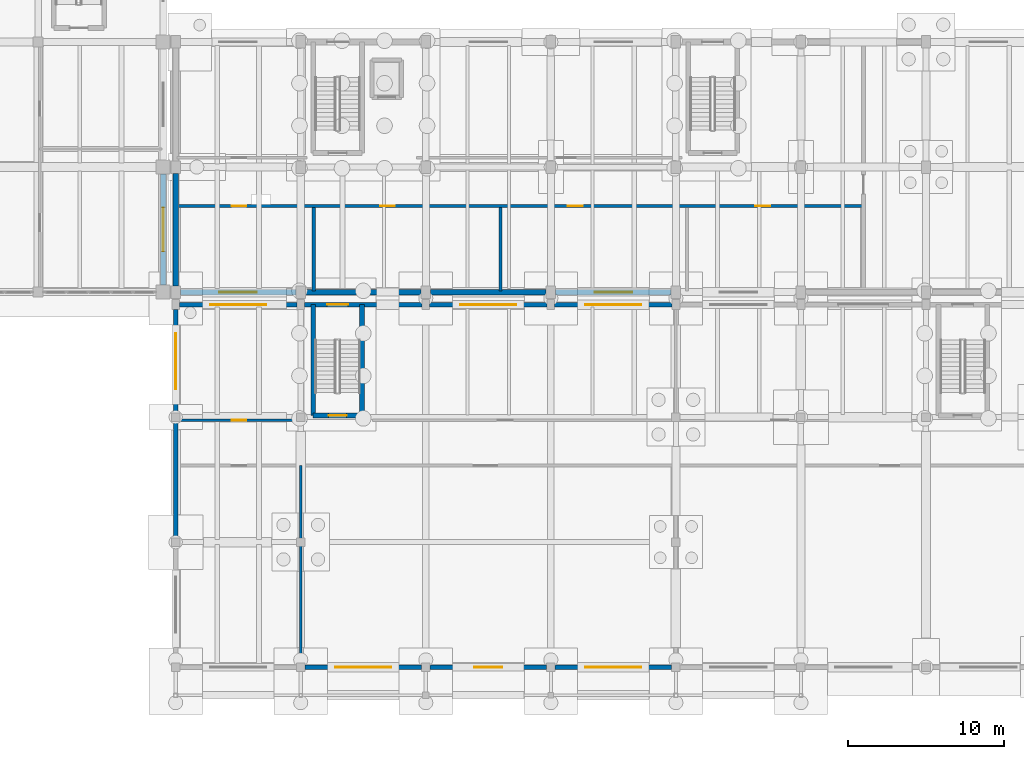
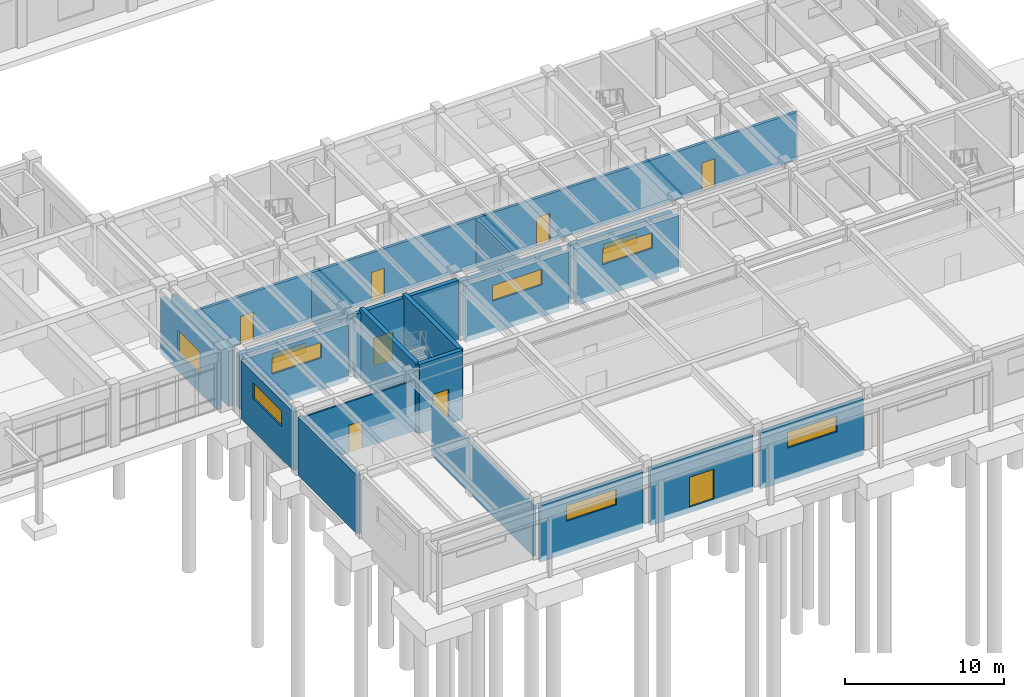
# One storey, part 36 of 64: 23 walls, 9 windows, 8 doors, 17 openings.
"""IFC4 building model written with IfcOpenShell, lengths in metres."""

import ifcopenshell
import ifcopenshell.guid

model = None  # the IFC model being written
_history = None  # IfcOwnerHistory: only IFC2X3 demands one
_inside = {}  # id of a spatial element -> (the spatial element, [elements in it])
_under = {}  # id of a project, library or spatial element -> (it, [spatial elements below it])
_declared = {}  # id of a project -> (the project, [libraries it declares])
_typed = {}  # id of a type object -> (the type object, [elements of that type])
_made_of = {}  # id of a material, layer set ... -> (it, [elements and type objects made of it])


def new_model(schema):
    """Start an empty IFC model of exactly this schema.

    Asked for "IFC4X3", IfcOpenShell would pick the latest addendum, in which some entities
    have other attributes; the version numbers below select the first issue.
    IFC2X3 requires an IfcOwnerHistory on every rooted entity: one is made here for all.
    """
    global model, _history
    if schema == "IFC4X3":
        model = ifcopenshell.file(schema_version=(4, 3, 0, 0))
    else:
        model = ifcopenshell.file(schema=schema)
    _inside.clear()
    _under.clear()
    _declared.clear()
    _typed.clear()
    _made_of.clear()
    _history = None
    if model.schema == "IFC2X3":
        org = make("IfcOrganization", Name="unknown")
        user = make(
            "IfcPersonAndOrganization",
            ThePerson=make("IfcPerson", FamilyName="unknown"),
            TheOrganization=org,
        )
        app = make(
            "IfcApplication",
            ApplicationDeveloper=org,
            Version="unknown",
            ApplicationFullName="unknown",
            ApplicationIdentifier="unknown",
        )
        _history = make(
            "IfcOwnerHistory",
            OwningUser=user,
            OwningApplication=app,
            ChangeAction="ADDED",
            CreationDate=0,
        )
    return model


def make(cls, **values):
    """One entity of the class cls with the attributes given. An attribute that is None is left unset."""
    return model.create_entity(
        cls, **{name: value for name, value in values.items() if value is not None}
    )


def rooted(cls, **values):
    """An entity with a GlobalId (a new one), such as an element, a storey or a relation."""
    return make(cls, GlobalId=ifcopenshell.guid.new(), OwnerHistory=_history, **values)


def si_unit(unit_type, name, prefix=None):
    """IfcSIUnit, for example si_unit("LENGTHUNIT", "METRE", prefix="MILLI")."""
    return make("IfcSIUnit", UnitType=unit_type, Prefix=prefix, Name=name)


def assignment(units):
    """IfcUnitAssignment: the units of a project."""
    return None if units is None else make("IfcUnitAssignment", Units=units)


def point(xyz):
    """IfcCartesianPoint."""
    return None if xyz is None else make("IfcCartesianPoint", Coordinates=xyz)


def direction(xyz):
    """IfcDirection."""
    return None if xyz is None else make("IfcDirection", DirectionRatios=xyz)


def frame(location, z_axis=None, x_axis=None):
    """IfcAxis2Placement3D, a coordinate frame: its origin and axes. An axis left out is left unset."""
    return make(
        "IfcAxis2Placement3D",
        Location=point(location),
        Axis=direction(z_axis),
        RefDirection=direction(x_axis),
    )


def frame_2d(location, x_axis=None):
    """IfcAxis2Placement2D, a coordinate frame in the plane: its origin and x axis."""
    return make(
        "IfcAxis2Placement2D", Location=point(location), RefDirection=direction(x_axis)
    )


def origin():
    """The frame at (0, 0, 0) with its axes left unset."""
    return frame((0.0, 0.0, 0.0))


def place(relative_to, where):
    """IfcLocalPlacement: puts the frame where relative to a parent placement (None: the world)."""
    return make(
        "IfcLocalPlacement", PlacementRelTo=relative_to, RelativePlacement=where
    )


def context(
    kind, dimensions, precision=None, world=None, true_north=None, identifier=None
):
    """IfcGeometricRepresentationContext, for example the 3D "Model" context."""
    return make(
        "IfcGeometricRepresentationContext",
        ContextIdentifier=identifier,
        ContextType=kind,
        CoordinateSpaceDimension=dimensions,
        Precision=precision,
        WorldCoordinateSystem=world,
        TrueNorth=true_north,
    )


def subcontext(parent, identifier, kind, view, scale=None):
    """IfcGeometricRepresentationSubContext, for example "Body" below "Model"."""
    return make(
        "IfcGeometricRepresentationSubContext",
        ContextIdentifier=identifier,
        ContextType=kind,
        ParentContext=parent,
        TargetScale=scale,
        TargetView=view,
    )


def project(units=None, contexts=None):
    """IfcProject with its units and contexts."""
    return rooted(
        "IfcProject",
        Name="project",
        RepresentationContexts=contexts,
        UnitsInContext=assignment(units),
    )


def spatial(cls, under=None, at=None, **own):
    """A site, building, storey or space (cls), placed at a placement, below another one or the project."""
    s = rooted(cls, ObjectPlacement=at, **own)
    if under is not None:
        _under.setdefault(under.id(), (under, []))[1].append(s)
    return s


def profile(cls, at=None, kind="AREA", **sizes):
    """A parametric profile (cls). Its sizes go by their IFC names, for example OverallWidth=200.0."""
    return make(cls, ProfileType=kind, Position=at, **sizes)


def rectangle(**sizes):
    """IfcRectangleProfileDef."""
    return profile("IfcRectangleProfileDef", **sizes)


def extrude(swept, where, along, depth):
    """IfcExtrudedAreaSolid: the profile swept, set in the frame where, extruded along a direction by depth."""
    return make(
        "IfcExtrudedAreaSolid",
        SweptArea=swept,
        Position=where,
        ExtrudedDirection=direction(along),
        Depth=depth,
    )


def shape(context_of_items, identifier, shape_type, items):
    """IfcShapeRepresentation: the items that make up one representation, for example the "Body"."""
    return make(
        "IfcShapeRepresentation",
        ContextOfItems=context_of_items,
        RepresentationIdentifier=identifier,
        RepresentationType=shape_type,
        Items=items,
    )


def material(Name=None, Category=None):
    """IfcMaterial."""
    return make("IfcMaterial", Name=Name, Category=Category)


def layer(
    of_material, thickness, ventilated=None, Name=None, Category=None, Priority=None
):
    """IfcMaterialLayer: one layer of a wall or slab, of a material (None: an air gap)."""
    return make(
        "IfcMaterialLayer",
        Material=of_material,
        LayerThickness=thickness,
        IsVentilated=ventilated,
        Name=Name,
        Category=Category,
        Priority=Priority,
    )


def layer_set(layers, Name=None):
    """IfcMaterialLayerSet."""
    return make("IfcMaterialLayerSet", MaterialLayers=layers, LayerSetName=Name)


def made_of(thing, what):
    """Note that an element or type object is made of a material, layer set ...; save() writes the relation."""
    if what is not None:
        _made_of.setdefault(what.id(), (what, []))[1].append(thing)
    return thing


def type_object(cls, material=None, **own):
    """A type object (cls), such as IfcWallType, which elements share."""
    return made_of(rooted(cls, **own), material)


def element(
    cls,
    number,
    at=None,
    inside=None,
    cuts=None,
    type_object=None,
    material=None,
    context=None,
    identifier="Body",
    shape_type=None,
    held_by="IfcProductDefinitionShape",
    body=None,
    shapes=None,
    **own,
):
    """One element of the class cls, such as IfcWall. Its Tag is "e" and its number.

    at: its placement. inside: the storey or other place that contains it. cuts: it is an
    opening in that element (IfcRelVoidsElement). A single representation is given by context,
    identifier, shape_type and body (its items); several are given by shapes. held_by: the class
    of the entity that holds the representations. save() writes the other relations.
    """
    e = rooted(cls, Tag="e%d" % number, ObjectPlacement=at, **own)
    if body is not None:
        shapes = [shape(context, identifier, shape_type, body)]
    if shapes is not None:
        e.Representation = make(held_by, Representations=shapes)
    if inside is not None:
        _inside.setdefault(inside.id(), (inside, []))[1].append(e)
    if cuts is not None:
        rooted(
            "IfcRelVoidsElement", RelatingBuildingElement=cuts, RelatedOpeningElement=e
        )
    if type_object is not None:
        _typed.setdefault(type_object.id(), (type_object, []))[1].append(e)
    return made_of(e, material)


def fill(opening, filler):
    """IfcRelFillsElement: the door or window that sits in an opening."""
    return rooted(
        "IfcRelFillsElement",
        RelatingOpeningElement=opening,
        RelatedBuildingElement=filler,
    )


def aggregate(whole, parts):
    """IfcRelAggregates: a whole, such as a stair, and the parts it consists of."""
    return rooted("IfcRelAggregates", RelatingObject=whole, RelatedObjects=parts)


def save(model, path):
    """Write the relations noted so far, then the file.

    IfcRelAggregates (storeys below a building ...), IfcRelContainedInSpatialStructure (elements
    in a storey), IfcRelDefinesByType, IfcRelAssociatesMaterial and IfcRelDeclares: one each for
    every whole, place, type object, material and project.
    """
    for whole, parts in _under.values():
        aggregate(whole, parts)
    for where, things in _inside.values():
        rooted(
            "IfcRelContainedInSpatialStructure",
            RelatedElements=things,
            RelatingStructure=where,
        )
    for kind, things in _typed.values():
        rooted("IfcRelDefinesByType", RelatedObjects=things, RelatingType=kind)
    for what, things in _made_of.values():
        rooted("IfcRelAssociatesMaterial", RelatedObjects=things, RelatingMaterial=what)
    for by, libraries in _declared.values():
        rooted("IfcRelDeclares", RelatingContext=by, RelatedDefinitions=libraries)
    model.write(path)


model = new_model("IFC4")

# Units and contexts
model_context = context("Model", 3, precision=1e-05, world=origin(), true_north=direction((0.0, 1.0)))
body_context = subcontext(model_context, "Body", "Model", "MODEL_VIEW")
ifc_project = project(units=[si_unit("LENGTHUNIT", "METRE"), si_unit("AREAUNIT", "SQUARE_METRE"), si_unit("VOLUMEUNIT", "CUBIC_METRE"), si_unit("PLANEANGLEUNIT", "RADIAN"), si_unit("MASSUNIT", "GRAM", prefix="KILO")], contexts=[model_context])

# Site, building, storey
site_placement = place(None, origin())
site = spatial("IfcSite", under=ifc_project, at=site_placement, CompositionType="ELEMENT")
building_placement = place(site_placement, origin())
building = spatial("IfcBuilding", under=site, at=building_placement, Name="Tlaxcora Railside Police Headquarters", CompositionType="ELEMENT")
storey_placement = place(building_placement, origin())
storey = spatial("IfcBuildingStorey", under=building, at=storey_placement, Name="L00", CompositionType="ELEMENT", Elevation=0.0)

# Wall
ifc_material_1 = material(Name="Gypsum acoustic partition board")
ifc_layer_1 = layer(ifc_material_1, 0.175048828125, Name="Gypsum acoustic partition board")
ifc_layer_set_1 = layer_set([ifc_layer_1], Name="Gypsum acoustic partition board")
wall_type_1 = type_object("IfcWallType", Name="Interior Partition Wall IW-22", PredefinedType="PARTITIONING", material=ifc_layer_set_1)
wall_1_placement = place(storey_placement, frame((110.800048828125, 12.080078125, 0.0), z_axis=(0.0, 0.0, 1.0), x_axis=(0.0, 1.0, 0.0)))
element("IfcWall", 1, at=wall_1_placement, inside=storey, type_object=wall_type_1, Name="V3 L00 interior partition 38", PredefinedType="PARTITIONING", context=body_context, shape_type="SweptSolid", body=[
    extrude(rectangle(XDim=12.81982421875, YDim=0.175048828125, at=frame_2d((6.409912109375, 0.0))), origin(), (0.0, 0.0, 1.0), 3.89794921875),
])

# Wall, opening, door
ifc_layer_2 = layer(ifc_material_1, 0.1298828125, Name="Gypsum acoustic partition board")
ifc_layer_set_2 = layer_set([ifc_layer_2], Name="Gypsum acoustic partition board")
wall_type_2 = type_object("IfcWallType", Name="Interior Partition Wall IW-40", PredefinedType="PARTITIONING", material=ifc_layer_set_2)
wall_2_placement = place(storey_placement, frame((102.8798828125, 27.800048828125, 0.0), z_axis=(0.0, 0.0, 1.0), x_axis=(1.0, 0.0, 0.0)))
wall_2 = element("IfcWall", 2, at=wall_2_placement, inside=storey, type_object=wall_type_2, Name="V3 L00 interior partition 41", PredefinedType="PARTITIONING", context=body_context, shape_type="SweptSolid", body=[
    extrude(rectangle(XDim=8.320068359375, YDim=0.1298828125, at=frame_2d((4.16015625, 0.0))), origin(), (0.0, 0.0, 1.0), 3.8798828125),
])
opening_1_placement = place(wall_2_placement, frame((3.5, 0.0, 0.0)))
opening_1 = element("IfcOpeningElement", 3, at=opening_1_placement, cuts=wall_2, Name="Opening D-L00-092", PredefinedType="OPENING", context=body_context, shape_type="SweptSolid", body=[
    extrude(rectangle(XDim=0.949951171875, YDim=2.10009765625, at=frame_2d((0.47509765625, 1.050048828125))), frame((0.0, 0.074951171875, 0.0), z_axis=(0.0, -1.0, 0.0), x_axis=(1.0, 0.0, 0.0)), (0.0, 0.0, 1.0), 0.14990234375),
])
ifc_material_2 = material(Name="Steel ASTM A992 Grade 50", Category="steel")
door_type_1 = type_object("IfcDoorType", Name="Swing or Sliding Personnel Door ID-87", OperationType="NOTDEFINED", PredefinedType="DOOR", material=ifc_material_2)
door_1_placement = place(opening_1_placement, origin())
door_1 = element("IfcDoor", 4, at=door_1_placement, inside=storey, type_object=door_type_1, Name="V3 L00 door D-L00-092", OperationType="SINGLE_SWING_RIGHT", OverallHeight=2.10009765625, OverallWidth=0.949951171875, PredefinedType="DOOR", context=body_context, shape_type="SweptSolid", body=[
    extrude(rectangle(XDim=0.949951171875, YDim=2.10009765625, at=frame_2d((0.47509765625, 1.050048828125))), frame((0.0, 0.02490234375, 0.0), z_axis=(0.0, -1.0, 0.0), x_axis=(1.0, 0.0, 0.0)), (0.0, 0.0, 1.0), 0.050048828125),
])
fill(opening_1, door_1)

# Walls
ifc_material_3 = material(Name="Pressed clay brick masonry", Category="masonry")
ifc_layer_3 = layer(ifc_material_3, 0.199951171875, Name="Pressed clay brick masonry")
ifc_layer_set_3 = layer_set([ifc_layer_3], Name="Pressed clay brick masonry")
wall_type_3 = type_object("IfcWallType", Name="Interior Partition Wall IW-60", PredefinedType="PARTITIONING", material=ifc_layer_set_3)
for number, where, z_axis, x_axis, name in (
    (5, (111.62890625, 36.080078125, 0.0), (0.0, 0.0, 1.0), (0.0, 1.0, 0.0), "V7 L00 interior partition 44"),
    (6, (123.570068359375, 36.080078125, 0.0), (0.0, 0.0, 1.0), (0.0, 1.0, 0.0), "V7 L00 interior partition 45"),
):
    element("IfcWall", number, at=place(storey_placement, frame(where, z_axis=z_axis, x_axis=x_axis)), inside=storey, type_object=wall_type_3, Name=name, PredefinedType="PARTITIONING", context=body_context, shape_type="SweptSolid", body=[
        extrude(rectangle(XDim=5.31982421875, YDim=0.199951171875, at=frame_2d((2.659912109375, 0.0))), origin(), (0.0, 0.0, 1.0), 3.695068359375),
    ])

# Wall, openings, doors
wall_3_placement = place(storey_placement, frame((102.8798828125, 41.5, 0.0), z_axis=(0.0, 0.0, 1.0), x_axis=(1.0, 0.0, 0.0)))
wall_3 = element("IfcWall", 7, at=wall_3_placement, inside=storey, type_object=wall_type_3, Name="V7 L00 interior partition 48", PredefinedType="PARTITIONING", context=body_context, shape_type="SweptSolid", body=[
    extrude(rectangle(XDim=43.920166015625, YDim=0.199951171875, at=frame_2d((21.9599609375, 0.0))), origin(), (0.0, 0.0, 1.0), 3.695068359375),
])
opening_2_placement = place(wall_3_placement, frame((3.5, 0.0, 0.0)))
opening_2 = element("IfcOpeningElement", 8, at=opening_2_placement, cuts=wall_3, Name="Opening D-L00-096", PredefinedType="OPENING", context=body_context, shape_type="SweptSolid", body=[
    extrude(rectangle(XDim=0.949951171875, YDim=2.14990234375, at=frame_2d((0.47509765625, 1.074951171875))), frame((0.0, 0.10986328125, 0.0), z_axis=(0.0, -1.0, 0.0), x_axis=(1.0, 0.0, 0.0)), (0.0, 0.0, 1.0), 0.219970703125),
])
opening_3_placement = place(wall_3_placement, frame((13.0, 0.0, 0.0)))
opening_3 = element("IfcOpeningElement", 9, at=opening_3_placement, cuts=wall_3, Name="Opening D-L00-097", PredefinedType="OPENING", context=body_context, shape_type="SweptSolid", body=[
    extrude(rectangle(XDim=0.949951171875, YDim=2.199951171875, at=frame_2d((0.47509765625, 1.10009765625))), frame((0.0, 0.10986328125, 0.0), z_axis=(0.0, -1.0, 0.0), x_axis=(1.0, 0.0, 0.0)), (0.0, 0.0, 1.0), 0.219970703125),
])
opening_4_placement = place(wall_3_placement, frame((25.0, 0.0, 0.0)))
opening_4 = element("IfcOpeningElement", 10, at=opening_4_placement, cuts=wall_3, Name="Opening D-L00-098", PredefinedType="OPENING", context=body_context, shape_type="SweptSolid", body=[
    extrude(rectangle(XDim=0.949951171875, YDim=2.199951171875, at=frame_2d((0.47509765625, 1.10009765625))), frame((0.0, 0.10986328125, 0.0), z_axis=(0.0, -1.0, 0.0), x_axis=(1.0, 0.0, 0.0)), (0.0, 0.0, 1.0), 0.219970703125),
])
opening_5_placement = place(wall_3_placement, frame((37.0, 0.0, 0.0)))
opening_5 = element("IfcOpeningElement", 11, at=opening_5_placement, cuts=wall_3, Name="Opening D-L00-099", PredefinedType="OPENING", context=body_context, shape_type="SweptSolid", body=[
    extrude(rectangle(XDim=0.949951171875, YDim=2.199951171875, at=frame_2d((0.47509765625, 1.10009765625))), frame((0.0, 0.10986328125, 0.0), z_axis=(0.0, -1.0, 0.0), x_axis=(1.0, 0.0, 0.0)), (0.0, 0.0, 1.0), 0.219970703125),
])
door_type_2 = type_object("IfcDoorType", Name="Swing or Sliding Personnel Door ID-31", OperationType="NOTDEFINED", PredefinedType="DOOR", material=ifc_material_2)
door_2_placement = place(opening_2_placement, origin())
door_2 = element("IfcDoor", 12, at=door_2_placement, inside=storey, type_object=door_type_2, Name="V7 L00 door D-L00-096", OperationType="SINGLE_SWING_LEFT", OverallHeight=2.14990234375, OverallWidth=0.949951171875, PredefinedType="DOOR", context=body_context, shape_type="SweptSolid", body=[
    extrude(rectangle(XDim=0.949951171875, YDim=2.14990234375, at=frame_2d((0.47509765625, 1.074951171875))), frame((0.0, 0.02490234375, 0.0), z_axis=(0.0, -1.0, 0.0), x_axis=(1.0, 0.0, 0.0)), (0.0, 0.0, 1.0), 0.050048828125),
])
fill(opening_2, door_2)
door_type_3 = type_object("IfcDoorType", Name="Swing or Sliding Personnel Door ID-62", OperationType="NOTDEFINED", PredefinedType="DOOR", material=ifc_material_2)
door_3_placement = place(opening_3_placement, origin())
door_3 = element("IfcDoor", 13, at=door_3_placement, inside=storey, type_object=door_type_3, Name="V7 L00 door D-L00-097", OperationType="SINGLE_SWING_RIGHT", OverallHeight=2.199951171875, OverallWidth=0.949951171875, PredefinedType="DOOR", context=body_context, shape_type="SweptSolid", body=[
    extrude(rectangle(XDim=0.949951171875, YDim=2.199951171875, at=frame_2d((0.47509765625, 1.10009765625))), frame((0.0, 0.02490234375, 0.0), z_axis=(0.0, -1.0, 0.0), x_axis=(1.0, 0.0, 0.0)), (0.0, 0.0, 1.0), 0.050048828125),
])
fill(opening_3, door_3)
door_4_placement = place(opening_4_placement, origin())
door_4 = element("IfcDoor", 14, at=door_4_placement, inside=storey, type_object=door_type_3, Name="V7 L00 door D-L00-098", OperationType="SINGLE_SWING_LEFT", OverallHeight=2.199951171875, OverallWidth=0.949951171875, PredefinedType="DOOR", context=body_context, shape_type="SweptSolid", body=[
    extrude(rectangle(XDim=0.949951171875, YDim=2.199951171875, at=frame_2d((0.47509765625, 1.10009765625))), frame((0.0, 0.02490234375, 0.0), z_axis=(0.0, -1.0, 0.0), x_axis=(1.0, 0.0, 0.0)), (0.0, 0.0, 1.0), 0.050048828125),
])
fill(opening_4, door_4)
door_5_placement = place(opening_5_placement, origin())
door_5 = element("IfcDoor", 15, at=door_5_placement, inside=storey, type_object=door_type_3, Name="V7 L00 door D-L00-099", OperationType="SINGLE_SWING_RIGHT", OverallHeight=2.199951171875, OverallWidth=0.949951171875, PredefinedType="DOOR", context=body_context, shape_type="SweptSolid", body=[
    extrude(rectangle(XDim=0.949951171875, YDim=2.199951171875, at=frame_2d((0.47509765625, 1.10009765625))), frame((0.0, 0.02490234375, 0.0), z_axis=(0.0, -1.0, 0.0), x_axis=(1.0, 0.0, 0.0)), (0.0, 0.0, 1.0), 0.050048828125),
])
fill(opening_5, door_5)

# Wall, opening, door
ifc_material_4 = material(Name="Concrete C40/50", Category="concrete")
ifc_layer_4 = layer(ifc_material_4, 0.300048828125, Name="Concrete C40/50")
ifc_layer_set_4 = layer_set([ifc_layer_4], Name="Concrete C40/50")
wall_type_4 = type_object("IfcWallType", Name="Shear Core Wall IW-28", PredefinedType="SHEAR", material=ifc_layer_set_4)
wall_4_placement = place(storey_placement, frame((111.60009765625, 28.10009765625, -0.52001953125), z_axis=(0.0, 0.0, 1.0), x_axis=(1.0, 0.0, 0.0)))
wall_4 = element("IfcWall", 16, at=wall_4_placement, inside=storey, type_object=wall_type_4, Name="CORE-C8 L00 stair core wall S", PredefinedType="SHEAR", context=body_context, shape_type="SweptSolid", body=[
    extrude(rectangle(XDim=3.119873046875, YDim=0.300048828125, at=frame_2d((1.56005859375, 0.0))), origin(), (0.0, 0.0, 1.0), 5.320068359375),
])
opening_6_placement = place(wall_4_placement, frame((0.985107421875, 0.0, 0.52001953125)))
opening_6 = element("IfcOpeningElement", 17, at=opening_6_placement, cuts=wall_4, Name="Opening SD-L00-055", PredefinedType="OPENING", context=body_context, shape_type="SweptSolid", body=[
    extrude(rectangle(XDim=1.14990234375, YDim=2.14990234375, at=frame_2d((0.574951171875, 1.074951171875))), frame((0.0, 0.16015625, 0.0), z_axis=(0.0, -1.0, 0.0), x_axis=(1.0, 0.0, 0.0)), (0.0, 0.0, 1.0), 0.320068359375),
])
door_type_4 = type_object("IfcDoorType", Name="Swing or Sliding Personnel Door ID-73", OperationType="NOTDEFINED", PredefinedType="DOOR", material=ifc_material_2)
door_6_placement = place(opening_6_placement, origin())
door_6 = element("IfcDoor", 18, at=door_6_placement, inside=storey, type_object=door_type_4, Name="Stair ST7 L00 enclosure fire door", OperationType="SINGLE_SWING_LEFT", OverallHeight=2.14990234375, OverallWidth=1.14990234375, PredefinedType="DOOR", context=body_context, shape_type="SweptSolid", body=[
    extrude(rectangle(XDim=1.14990234375, YDim=2.14990234375, at=frame_2d((0.574951171875, 1.074951171875))), frame((0.0, 0.02490234375, 0.0), z_axis=(0.0, -1.0, 0.0), x_axis=(1.0, 0.0, 0.0)), (0.0, 0.0, 1.0), 0.050048828125),
])
fill(opening_6, door_6)

# Walls
for number, where, z_axis, x_axis, name in (
    (19, (114.719970703125, 28.10009765625, -0.52001953125), (0.0, 0.0, 1.0), (0.0, 1.0, 0.0), "CORE-C8 L00 stair core wall E"),
    (20, (111.60009765625, 35.199951171875, -0.52001953125), (0.0, 0.0, 1.0), (0.0, -1.0, 0.0), "CORE-C8 L00 stair core wall W"),
):
    element("IfcWall", number, at=place(storey_placement, frame(where, z_axis=z_axis, x_axis=x_axis)), inside=storey, type_object=wall_type_4, Name=name, PredefinedType="SHEAR", context=body_context, shape_type="SweptSolid", body=[
        extrude(rectangle(XDim=7.099853515625, YDim=0.300048828125, at=frame_2d((3.5498046875, 0.0))), origin(), (0.0, 0.0, 1.0), 5.320068359375),
    ])

# Wall, opening, window
ifc_material_5 = material(Name="Volcanic basalt ashlar masonry", Category="masonry")
ifc_layer_5 = layer(ifc_material_5, 0.3349609375, Name="Volcanic basalt ashlar masonry")
ifc_layer_set_5 = layer_set([ifc_layer_5], Name="Volcanic basalt ashlar masonry")
wall_type_5 = type_object("IfcWallType", Name="Structural Bearing Wall EW-46", PredefinedType="SOLIDWALL", material=ifc_layer_set_5)
wall_5_placement = place(storey_placement, frame((102.0, 36.449951171875, -0.419921875), z_axis=(0.0, 0.0, 1.0), x_axis=(0.0, 1.0, 0.0)))
wall_5 = element("IfcWall", 21, at=wall_5_placement, inside=storey, type_object=wall_type_5, Name="V1 L00 exterior wall 1.0", PredefinedType="SOLIDWALL", context=body_context, shape_type="SweptSolid", body=[
    extrude(rectangle(XDim=7.10009765625, YDim=0.3349609375, at=frame_2d((3.550048828125, 0.0))), origin(), (0.0, 0.0, 1.0), 4.2998046875),
])
opening_7_placement = place(wall_5_placement, frame((2.14990234375, 0.0, 1.320068359375)))
opening_7 = element("IfcOpeningElement", 22, at=opening_7_placement, cuts=wall_5, Name="Opening WN-44", PredefinedType="OPENING", context=body_context, shape_type="SweptSolid", body=[
    extrude(rectangle(XDim=2.800048828125, YDim=1.800048828125, at=frame_2d((1.39990234375, 0.89990234375))), frame((0.0, 0.177490234375, 0.0), z_axis=(0.0, -1.0, 0.0), x_axis=(1.0, 0.0, 0.0)), (0.0, 0.0, 1.0), 0.35498046875),
])
ifc_material_6 = material(Name="Thermally broken low-E insulated glazing", Category="glass")
window_type_1 = type_object("IfcWindowType", Name="Exterior Framed or Circular Window WN-44", PartitioningType="SINGLE_PANEL", PredefinedType="WINDOW", material=ifc_material_6)
window_1_placement = place(opening_7_placement, origin())
window_1 = element("IfcWindow", 23, at=window_1_placement, inside=storey, type_object=window_type_1, Name="V1 L00 window 15", OverallHeight=1.800048828125, OverallWidth=2.800048828125, PartitioningType="SINGLE_PANEL", PredefinedType="WINDOW", context=body_context, shape_type="SweptSolid", body=[
    extrude(rectangle(XDim=2.800048828125, YDim=1.800048828125, at=frame_2d((1.39990234375, 0.89990234375))), frame((0.0, 0.030029296875, 0.0), z_axis=(0.0, -1.0, 0.0), x_axis=(1.0, 0.0, 0.0)), (0.0, 0.0, 1.0), 0.06005859375),
])
fill(opening_7, window_1)

ifc_layer_6 = layer(ifc_material_5, 0.360107421875, Name="Volcanic basalt ashlar masonry")
ifc_layer_set_6 = layer_set([ifc_layer_6], Name="Volcanic basalt ashlar masonry")
wall_type_6 = type_object("IfcWallType", Name="Structural Bearing Wall EW-52", PredefinedType="SOLIDWALL", material=ifc_layer_set_6)
wall_6_placement = place(storey_placement, frame((103.10009765625, 36.0, -0.419921875), z_axis=(0.0, 0.0, 1.0), x_axis=(1.0, 0.0, 0.0)))
wall_6 = element("IfcWall", 24, at=wall_6_placement, inside=storey, type_object=wall_type_6, Name="V7 L00 exterior wall 0.0", PredefinedType="SOLIDWALL", context=body_context, shape_type="SweptSolid", body=[
    extrude(rectangle(XDim=7.39990234375, YDim=0.360107421875, at=frame_2d((3.699951171875, 0.0))), origin(), (0.0, 0.0, 1.0), 4.1298828125),
])
opening_8_placement = place(wall_6_placement, frame((2.5, 0.0, 2.52001953125)))
opening_8 = element("IfcOpeningElement", 25, at=opening_8_placement, cuts=wall_6, Name="Opening WN-32", PredefinedType="OPENING", context=body_context, shape_type="SweptSolid", body=[
    extrude(rectangle(XDim=2.39990234375, YDim=0.75, at=frame_2d((1.199951171875, 0.375))), frame((0.0, 0.18994140625, 0.0), z_axis=(0.0, -1.0, 0.0), x_axis=(1.0, 0.0, 0.0)), (0.0, 0.0, 1.0), 0.380126953125),
])
window_type_2 = type_object("IfcWindowType", Name="Exterior Framed or Circular Window WN-32", PartitioningType="SINGLE_PANEL", PredefinedType="WINDOW", material=ifc_material_6)
window_2_placement = place(opening_8_placement, origin())
window_2 = element("IfcWindow", 26, at=window_2_placement, inside=storey, type_object=window_type_2, Name="V7 L00 window 188", OverallHeight=0.75, OverallWidth=2.39990234375, PartitioningType="SINGLE_PANEL", PredefinedType="WINDOW", context=body_context, shape_type="SweptSolid", body=[
    extrude(rectangle(XDim=2.39990234375, YDim=0.75, at=frame_2d((1.199951171875, 0.375))), frame((0.0, 0.030029296875, 0.0), z_axis=(0.0, -1.0, 0.0), x_axis=(1.0, 0.0, 0.0)), (0.0, 0.0, 1.0), 0.06005859375),
])
fill(opening_8, window_2)

# Walls
for number, where, z_axis, x_axis, name in (
    (27, (111.10009765625, 36.0, -0.419921875), (0.0, 0.0, 1.0), (1.0, 0.0, 0.0), "V7 L00 exterior wall 0.1"),
    (28, (119.10009765625, 36.0, -0.419921875), (0.0, 0.0, 1.0), (1.0, 0.0, 0.0), "V7 L00 exterior wall 0.2"),
):
    element("IfcWall", number, at=place(storey_placement, frame(where, z_axis=z_axis, x_axis=x_axis)), inside=storey, type_object=wall_type_6, Name=name, PredefinedType="SOLIDWALL", context=body_context, shape_type="SweptSolid", body=[
        extrude(rectangle(XDim=7.39990234375, YDim=0.360107421875, at=frame_2d((3.699951171875, 0.0))), origin(), (0.0, 0.0, 1.0), 4.1298828125),
    ])

# Wall, opening, window
wall_7_placement = place(storey_placement, frame((127.10009765625, 36.0, -0.419921875), z_axis=(0.0, 0.0, 1.0), x_axis=(1.0, 0.0, 0.0)))
wall_7 = element("IfcWall", 29, at=wall_7_placement, inside=storey, type_object=wall_type_6, Name="V7 L00 exterior wall 0.3", PredefinedType="SOLIDWALL", context=body_context, shape_type="SweptSolid", body=[
    extrude(rectangle(XDim=7.39990234375, YDim=0.360107421875, at=frame_2d((3.699951171875, 0.0))), origin(), (0.0, 0.0, 1.0), 4.1298828125),
])
opening_9_placement = place(wall_7_placement, frame((2.5, 0.0, 2.52001953125)))
opening_9 = element("IfcOpeningElement", 30, at=opening_9_placement, cuts=wall_7, Name="Opening WN-32", PredefinedType="OPENING", context=body_context, shape_type="SweptSolid", body=[
    extrude(rectangle(XDim=2.39990234375, YDim=0.75, at=frame_2d((1.199951171875, 0.375))), frame((0.0, 0.18994140625, 0.0), z_axis=(0.0, -1.0, 0.0), x_axis=(1.0, 0.0, 0.0)), (0.0, 0.0, 1.0), 0.380126953125),
])
window_3_placement = place(opening_9_placement, origin())
window_3 = element("IfcWindow", 31, at=window_3_placement, inside=storey, type_object=window_type_2, Name="V7 L00 window 189", OverallHeight=0.75, OverallWidth=2.39990234375, PartitioningType="SINGLE_PANEL", PredefinedType="WINDOW", context=body_context, shape_type="SweptSolid", body=[
    extrude(rectangle(XDim=2.39990234375, YDim=0.75, at=frame_2d((1.199951171875, 0.375))), frame((0.0, 0.030029296875, 0.0), z_axis=(0.0, -1.0, 0.0), x_axis=(1.0, 0.0, 0.0)), (0.0, 0.0, 1.0), 0.06005859375),
])
fill(opening_9, window_3)

# Wall
wall_8_placement = place(storey_placement, frame((102.800048828125, 43.60009765625, -0.419921875), z_axis=(0.0, 0.0, 1.0), x_axis=(0.0, -1.0, 0.0)))
element("IfcWall", 32, at=wall_8_placement, inside=storey, type_object=wall_type_6, Name="V7 L00 exterior wall 3.1", PredefinedType="SOLIDWALL", context=body_context, shape_type="SweptSolid", body=[
    extrude(rectangle(XDim=7.2001953125, YDim=0.360107421875, at=frame_2d((3.60009765625, 0.0))), origin(), (0.0, 0.0, 1.0), 4.22998046875),
])

# Wall, opening, window
ifc_layer_7 = layer(ifc_material_3, 0.294921875, Name="Pressed clay brick masonry")
ifc_layer_set_7 = layer_set([ifc_layer_7], Name="Pressed clay brick masonry")
wall_type_7 = type_object("IfcWallType", Name="Structural Bearing Wall EW-74", PredefinedType="SOLIDWALL", material=ifc_layer_set_7)
wall_9_placement = place(storey_placement, frame((111.074951171875, 12.0, -0.419921875), z_axis=(0.0, 0.0, 1.0), x_axis=(1.0, 0.0, 0.0)))
wall_9 = element("IfcWall", 33, at=wall_9_placement, inside=storey, type_object=wall_type_7, Name="V3 L00 exterior wall 0.1", PredefinedType="SOLIDWALL", context=body_context, shape_type="SweptSolid", body=[
    extrude(rectangle(XDim=7.449951171875, YDim=0.294921875, at=frame_2d((3.72509765625, 0.0))), origin(), (0.0, 0.0, 1.0), 4.3330078125),
])
opening_10_placement = place(wall_9_placement, frame((1.925048828125, 0.0, 2.469970703125)))
opening_10 = element("IfcOpeningElement", 34, at=opening_10_placement, cuts=wall_9, Name="Opening WN-77", PredefinedType="OPENING", context=body_context, shape_type="SweptSolid", body=[
    extrude(rectangle(XDim=3.60009765625, YDim=1.199951171875, at=frame_2d((1.800048828125, 0.60009765625))), frame((0.0, 0.157470703125, 0.0), z_axis=(0.0, -1.0, 0.0), x_axis=(1.0, 0.0, 0.0)), (0.0, 0.0, 1.0), 0.31494140625),
])
window_type_3 = type_object("IfcWindowType", Name="Exterior Framed or Circular Window WN-77", PartitioningType="SINGLE_PANEL", PredefinedType="WINDOW", material=ifc_material_6)
window_4_placement = place(opening_10_placement, origin())
window_4 = element("IfcWindow", 35, at=window_4_placement, inside=storey, type_object=window_type_3, Name="V3 L00 window 38", OverallHeight=1.199951171875, OverallWidth=3.60009765625, PartitioningType="SINGLE_PANEL", PredefinedType="WINDOW", context=body_context, shape_type="SweptSolid", body=[
    extrude(rectangle(XDim=3.60009765625, YDim=1.199951171875, at=frame_2d((1.800048828125, 0.60009765625))), frame((0.0, 0.030029296875, 0.0), z_axis=(0.0, -1.0, 0.0), x_axis=(1.0, 0.0, 0.0)), (0.0, 0.0, 1.0), 0.06005859375),
])
fill(opening_10, window_4)

# Wall, opening, door
wall_10_placement = place(storey_placement, frame((119.074951171875, 12.0, -0.419921875), z_axis=(0.0, 0.0, 1.0), x_axis=(1.0, 0.0, 0.0)))
wall_10 = element("IfcWall", 36, at=wall_10_placement, inside=storey, type_object=wall_type_7, Name="V3 L00 exterior wall 0.2", PredefinedType="SOLIDWALL", context=body_context, shape_type="SweptSolid", body=[
    extrude(rectangle(XDim=7.449951171875, YDim=0.294921875, at=frame_2d((3.72509765625, 0.0))), origin(), (0.0, 0.0, 1.0), 4.3330078125),
])
opening_11_placement = place(wall_10_placement, frame((2.824951171875, 0.0, 0.419921875)))
opening_11 = element("IfcOpeningElement", 37, at=opening_11_placement, cuts=wall_10, Name="Opening E-05", PredefinedType="OPENING", context=body_context, shape_type="SweptSolid", body=[
    extrude(rectangle(XDim=1.800048828125, YDim=2.300048828125, at=frame_2d((0.89990234375, 1.14990234375))), frame((0.0, 0.157470703125, 0.0), z_axis=(0.0, -1.0, 0.0), x_axis=(1.0, 0.0, 0.0)), (0.0, 0.0, 1.0), 0.31494140625),
])
ifc_material_7 = material(Name="Anodised aluminium framing", Category="aluminium")
door_type_5 = type_object("IfcDoorType", Name="Swing or Sliding Personnel Door ED-45", OperationType="NOTDEFINED", PredefinedType="DOOR", material=ifc_material_7)
door_7_placement = place(opening_11_placement, frame((1.800048828125, 0.0, 0.0), z_axis=(0.0, 0.0, 1.0), x_axis=(-1.0, 0.0, 0.0)))
door_7 = element("IfcDoor", 38, at=door_7_placement, inside=storey, type_object=door_type_5, Name="Gymnasium forecourt exit door E-05", OperationType="DOUBLE_DOOR_SINGLE_SWING", OverallHeight=2.300048828125, OverallWidth=1.800048828125, PredefinedType="DOOR", context=body_context, shape_type="SweptSolid", body=[
    extrude(rectangle(XDim=1.800048828125, YDim=2.300048828125, at=frame_2d((0.89990234375, 1.14990234375))), frame((0.0, 0.02490234375, 0.0), z_axis=(0.0, -1.0, 0.0), x_axis=(1.0, 0.0, 0.0)), (0.0, 0.0, 1.0), 0.050048828125),
])
fill(opening_11, door_7)

# Wall, opening, window
wall_11_placement = place(storey_placement, frame((127.074951171875, 12.0, -0.419921875), z_axis=(0.0, 0.0, 1.0), x_axis=(1.0, 0.0, 0.0)))
wall_11 = element("IfcWall", 39, at=wall_11_placement, inside=storey, type_object=wall_type_7, Name="V3 L00 exterior wall 0.3", PredefinedType="SOLIDWALL", context=body_context, shape_type="SweptSolid", body=[
    extrude(rectangle(XDim=7.449951171875, YDim=0.294921875, at=frame_2d((3.72509765625, 0.0))), origin(), (0.0, 0.0, 1.0), 4.3330078125),
])
opening_12_placement = place(wall_11_placement, frame((1.925048828125, 0.0, 2.469970703125)))
opening_12 = element("IfcOpeningElement", 40, at=opening_12_placement, cuts=wall_11, Name="Opening WN-77", PredefinedType="OPENING", context=body_context, shape_type="SweptSolid", body=[
    extrude(rectangle(XDim=3.60009765625, YDim=1.199951171875, at=frame_2d((1.800048828125, 0.60009765625))), frame((0.0, 0.157470703125, 0.0), z_axis=(0.0, -1.0, 0.0), x_axis=(1.0, 0.0, 0.0)), (0.0, 0.0, 1.0), 0.31494140625),
])
window_5_placement = place(opening_12_placement, origin())
window_5 = element("IfcWindow", 41, at=window_5_placement, inside=storey, type_object=window_type_3, Name="V3 L00 window 39", OverallHeight=1.199951171875, OverallWidth=3.60009765625, PartitioningType="SINGLE_PANEL", PredefinedType="WINDOW", context=body_context, shape_type="SweptSolid", body=[
    extrude(rectangle(XDim=3.60009765625, YDim=1.199951171875, at=frame_2d((1.800048828125, 0.60009765625))), frame((0.0, 0.030029296875, 0.0), z_axis=(0.0, -1.0, 0.0), x_axis=(1.0, 0.0, 0.0)), (0.0, 0.0, 1.0), 0.06005859375),
])
fill(opening_12, window_5)

wall_12_placement = place(storey_placement, frame((134.550048828125, 35.199951171875, -0.419921875), z_axis=(0.0, 0.0, 1.0), x_axis=(-1.0, 0.0, 0.0)))
wall_12 = element("IfcWall", 42, at=wall_12_placement, inside=storey, type_object=wall_type_7, Name="V3 L00 exterior wall 2.4", PredefinedType="SOLIDWALL", context=body_context, shape_type="SweptSolid", body=[
    extrude(rectangle(XDim=7.5, YDim=0.294921875, at=frame_2d((3.75, 0.0))), origin(), (0.0, 0.0, 1.0), 4.3330078125),
])
opening_13_placement = place(wall_12_placement, frame((1.949951171875, 0.0, 2.469970703125)))
opening_13 = element("IfcOpeningElement", 43, at=opening_13_placement, cuts=wall_12, Name="Opening WN-77", PredefinedType="OPENING", context=body_context, shape_type="SweptSolid", body=[
    extrude(rectangle(XDim=3.60009765625, YDim=1.199951171875, at=frame_2d((1.800048828125, 0.60009765625))), frame((0.0, 0.157470703125, 0.0), z_axis=(0.0, -1.0, 0.0), x_axis=(1.0, 0.0, 0.0)), (0.0, 0.0, 1.0), 0.31494140625),
])
window_6_placement = place(opening_13_placement, origin())
window_6 = element("IfcWindow", 44, at=window_6_placement, inside=storey, type_object=window_type_3, Name="V3 L00 window 48", OverallHeight=1.199951171875, OverallWidth=3.60009765625, PartitioningType="SINGLE_PANEL", PredefinedType="WINDOW", context=body_context, shape_type="SweptSolid", body=[
    extrude(rectangle(XDim=3.60009765625, YDim=1.199951171875, at=frame_2d((1.800048828125, 0.60009765625))), frame((0.0, 0.030029296875, 0.0), z_axis=(0.0, -1.0, 0.0), x_axis=(1.0, 0.0, 0.0)), (0.0, 0.0, 1.0), 0.06005859375),
])
fill(opening_13, window_6)

wall_13_placement = place(storey_placement, frame((126.550048828125, 35.199951171875, -0.419921875), z_axis=(0.0, 0.0, 1.0), x_axis=(-1.0, 0.0, 0.0)))
wall_13 = element("IfcWall", 45, at=wall_13_placement, inside=storey, type_object=wall_type_7, Name="V3 L00 exterior wall 2.5", PredefinedType="SOLIDWALL", context=body_context, shape_type="SweptSolid", body=[
    extrude(rectangle(XDim=7.5, YDim=0.294921875, at=frame_2d((3.75, 0.0))), origin(), (0.0, 0.0, 1.0), 4.3330078125),
])
opening_14_placement = place(wall_13_placement, frame((1.949951171875, 0.0, 2.469970703125)))
opening_14 = element("IfcOpeningElement", 46, at=opening_14_placement, cuts=wall_13, Name="Opening WN-77", PredefinedType="OPENING", context=body_context, shape_type="SweptSolid", body=[
    extrude(rectangle(XDim=3.60009765625, YDim=1.199951171875, at=frame_2d((1.800048828125, 0.60009765625))), frame((0.0, 0.157470703125, 0.0), z_axis=(0.0, -1.0, 0.0), x_axis=(1.0, 0.0, 0.0)), (0.0, 0.0, 1.0), 0.31494140625),
])
window_7_placement = place(opening_14_placement, origin())
window_7 = element("IfcWindow", 47, at=window_7_placement, inside=storey, type_object=window_type_3, Name="V3 L00 window 49", OverallHeight=1.199951171875, OverallWidth=3.60009765625, PartitioningType="SINGLE_PANEL", PredefinedType="WINDOW", context=body_context, shape_type="SweptSolid", body=[
    extrude(rectangle(XDim=3.60009765625, YDim=1.199951171875, at=frame_2d((1.800048828125, 0.60009765625))), frame((0.0, 0.030029296875, 0.0), z_axis=(0.0, -1.0, 0.0), x_axis=(1.0, 0.0, 0.0)), (0.0, 0.0, 1.0), 0.06005859375),
])
fill(opening_14, window_7)

# Wall, opening, door
wall_14_placement = place(storey_placement, frame((118.550048828125, 35.199951171875, -0.419921875), z_axis=(0.0, 0.0, 1.0), x_axis=(-1.0, 0.0, 0.0)))
wall_14 = element("IfcWall", 48, at=wall_14_placement, inside=storey, type_object=wall_type_7, Name="V3 L00 exterior wall 2.6", PredefinedType="SOLIDWALL", context=body_context, shape_type="SweptSolid", body=[
    extrude(rectangle(XDim=7.5, YDim=0.294921875, at=frame_2d((3.75, 0.0))), origin(), (0.0, 0.0, 1.0), 4.949951171875),
])
opening_15_placement = place(wall_14_placement, frame((4.715087890625, 0.0, 0.419921875)))
opening_15 = element("IfcOpeningElement", 49, at=opening_15_placement, cuts=wall_14, Name="Opening EX-11", PredefinedType="OPENING", context=body_context, shape_type="SweptSolid", body=[
    extrude(rectangle(XDim=1.35009765625, YDim=2.14990234375, at=frame_2d((0.675048828125, 1.074951171875))), frame((0.0, 0.157470703125, 0.0), z_axis=(0.0, -1.0, 0.0), x_axis=(1.0, 0.0, 0.0)), (0.0, 0.0, 1.0), 0.31494140625),
])
door_type_6 = type_object("IfcDoorType", Name="Swing or Sliding Personnel Door ED-94", OperationType="NOTDEFINED", PredefinedType="DOOR", material=ifc_material_7)
door_8_placement = place(opening_15_placement, frame((1.35009765625, 0.0, 0.0), z_axis=(0.0, 0.0, 1.0), x_axis=(-1.0, 0.0, 0.0)))
door_8 = element("IfcDoor", 50, at=door_8_placement, inside=storey, type_object=door_type_6, Name="Exit stair ST7 direct exterior discharge door", OperationType="SINGLE_SWING_LEFT", OverallHeight=2.14990234375, OverallWidth=1.35009765625, PredefinedType="DOOR", context=body_context, shape_type="SweptSolid", body=[
    extrude(rectangle(XDim=1.35009765625, YDim=2.14990234375, at=frame_2d((0.675048828125, 1.074951171875))), frame((0.0, 0.02490234375, 0.0), z_axis=(0.0, -1.0, 0.0), x_axis=(1.0, 0.0, 0.0)), (0.0, 0.0, 1.0), 0.050048828125),
])
fill(opening_15, door_8)

# Wall, opening, window
wall_15_placement = place(storey_placement, frame((110.550048828125, 35.199951171875, -0.419921875), z_axis=(0.0, 0.0, 1.0), x_axis=(-1.0, 0.0, 0.0)))
wall_15 = element("IfcWall", 51, at=wall_15_placement, inside=storey, type_object=wall_type_7, Name="V3 L00 exterior wall 2.7", PredefinedType="SOLIDWALL", context=body_context, shape_type="SweptSolid", body=[
    extrude(rectangle(XDim=7.5, YDim=0.294921875, at=frame_2d((3.75, 0.0))), origin(), (0.0, 0.0, 1.0), 4.3330078125),
])
opening_16_placement = place(wall_15_placement, frame((1.949951171875, 0.0, 2.469970703125)))
opening_16 = element("IfcOpeningElement", 52, at=opening_16_placement, cuts=wall_15, Name="Opening WN-77", PredefinedType="OPENING", context=body_context, shape_type="SweptSolid", body=[
    extrude(rectangle(XDim=3.60009765625, YDim=1.199951171875, at=frame_2d((1.800048828125, 0.60009765625))), frame((0.0, 0.157470703125, 0.0), z_axis=(0.0, -1.0, 0.0), x_axis=(1.0, 0.0, 0.0)), (0.0, 0.0, 1.0), 0.31494140625),
])
window_8_placement = place(opening_16_placement, origin())
window_8 = element("IfcWindow", 53, at=window_8_placement, inside=storey, type_object=window_type_3, Name="V3 L00 window 50", OverallHeight=1.199951171875, OverallWidth=3.60009765625, PartitioningType="SINGLE_PANEL", PredefinedType="WINDOW", context=body_context, shape_type="SweptSolid", body=[
    extrude(rectangle(XDim=3.60009765625, YDim=1.199951171875, at=frame_2d((1.800048828125, 0.60009765625))), frame((0.0, 0.030029296875, 0.0), z_axis=(0.0, -1.0, 0.0), x_axis=(1.0, 0.0, 0.0)), (0.0, 0.0, 1.0), 0.06005859375),
])
fill(opening_16, window_8)

wall_16_placement = place(storey_placement, frame((102.800048828125, 34.875, -0.419921875), z_axis=(0.0, 0.0, 1.0), x_axis=(0.0, -1.0, 0.0)))
wall_16 = element("IfcWall", 54, at=wall_16_placement, inside=storey, type_object=wall_type_7, Name="V3 L00 exterior wall 3.0", PredefinedType="SOLIDWALL", context=body_context, shape_type="SweptSolid", body=[
    extrude(rectangle(XDim=6.60009765625, YDim=0.294921875, at=frame_2d((3.300048828125, 0.0))), origin(), (0.0, 0.0, 1.0), 4.488037109375),
])
opening_17_placement = place(wall_16_placement, frame((1.5, 0.0, 2.469970703125)))
opening_17 = element("IfcOpeningElement", 55, at=opening_17_placement, cuts=wall_16, Name="Opening WN-77", PredefinedType="OPENING", context=body_context, shape_type="SweptSolid", body=[
    extrude(rectangle(XDim=3.60009765625, YDim=1.199951171875, at=frame_2d((1.800048828125, 0.60009765625))), frame((0.0, 0.157470703125, 0.0), z_axis=(0.0, -1.0, 0.0), x_axis=(1.0, 0.0, 0.0)), (0.0, 0.0, 1.0), 0.31494140625),
])
window_9_placement = place(opening_17_placement, origin())
window_9 = element("IfcWindow", 56, at=window_9_placement, inside=storey, type_object=window_type_3, Name="V3 L00 window 51", OverallHeight=1.199951171875, OverallWidth=3.60009765625, PartitioningType="SINGLE_PANEL", PredefinedType="WINDOW", context=body_context, shape_type="SweptSolid", body=[
    extrude(rectangle(XDim=3.60009765625, YDim=1.199951171875, at=frame_2d((1.800048828125, 0.60009765625))), frame((0.0, 0.030029296875, 0.0), z_axis=(0.0, -1.0, 0.0), x_axis=(1.0, 0.0, 0.0)), (0.0, 0.0, 1.0), 0.06005859375),
])
fill(opening_17, window_9)

# Wall
wall_17_placement = place(storey_placement, frame((102.800048828125, 27.72509765625, -0.419921875), z_axis=(0.0, 0.0, 1.0), x_axis=(0.0, -1.0, 0.0)))
element("IfcWall", 57, at=wall_17_placement, inside=storey, type_object=wall_type_7, Name="V3 L00 exterior wall 3.1", PredefinedType="SOLIDWALL", context=body_context, shape_type="SweptSolid", body=[
    extrude(rectangle(XDim=7.4501953125, YDim=0.294921875, at=frame_2d((3.72509765625, 0.0))), origin(), (0.0, 0.0, 1.0), 4.488037109375),
])

save(model, "model.ifc")
